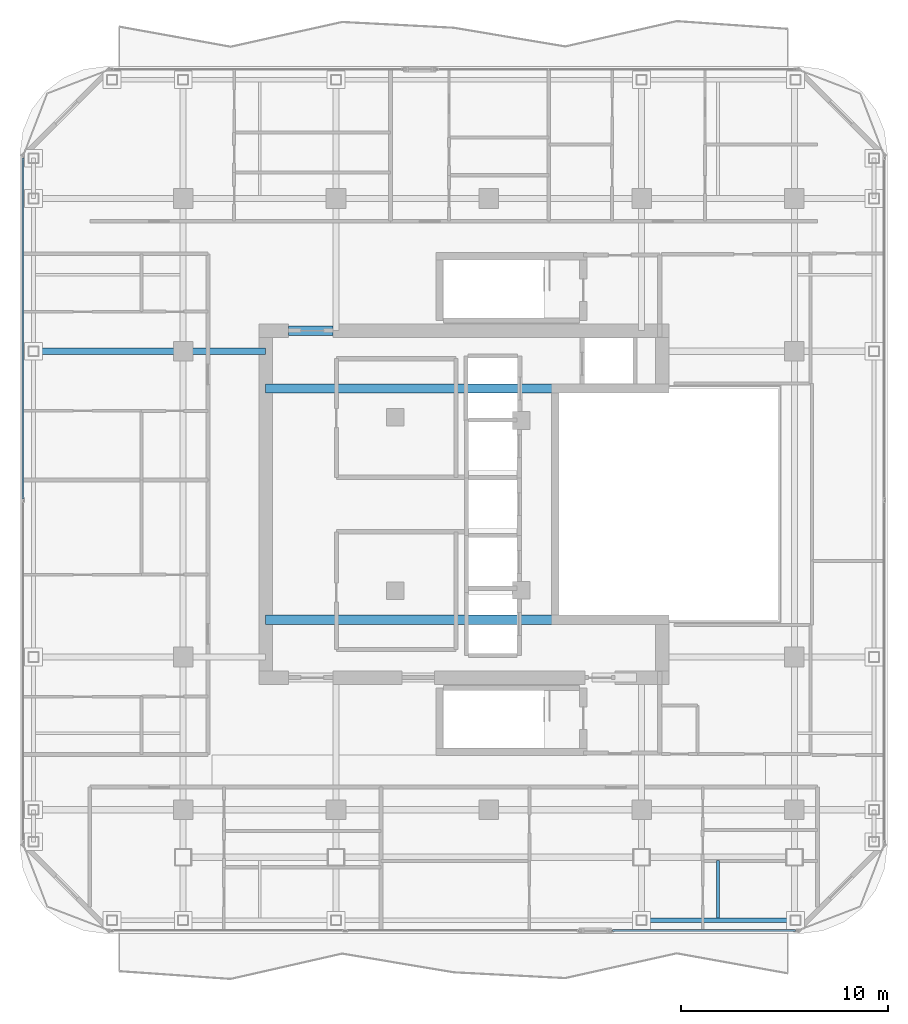
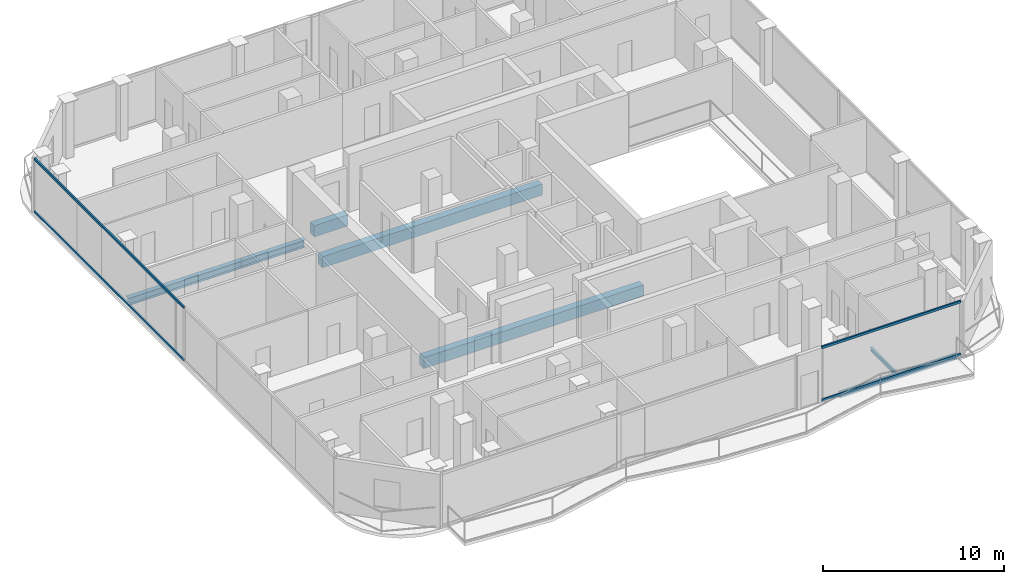
# One storey, part 6 of 22: 7 beams, 4 members, 2 elements without a shape of their own.
"""IFC4 building model written with IfcOpenShell, lengths in metres."""

from ifc_helpers import new_model, si_unit, direction, frame, origin, origin_2d, place, context, subcontext, project, spatial, rectangle, hollow_rectangle, i_section, extrude, material, layer, layer_set, material_profile, profile_set, type_object, element, aggregate, save


model = new_model("IFC4")

# Units and contexts
model_context = context("Model", 3, precision=1e-05, world=origin(), true_north=direction((0.0, 1.0)))
body_context = subcontext(model_context, "Body", "Model", "MODEL_VIEW")
ifc_project = project(units=[si_unit("LENGTHUNIT", "METRE"), si_unit("AREAUNIT", "SQUARE_METRE"), si_unit("VOLUMEUNIT", "CUBIC_METRE"), si_unit("PLANEANGLEUNIT", "RADIAN"), si_unit("MASSUNIT", "GRAM", prefix="KILO")], contexts=[model_context])

# Site, building, storey
site_placement = place(None, origin())
site = spatial("IfcSite", under=ifc_project, at=site_placement, CompositionType="ELEMENT")
building_placement = place(site_placement, origin())
building = spatial("IfcBuilding", under=site, at=building_placement, Name="Khorvyn Point Tower", CompositionType="ELEMENT")
storey_placement = place(building_placement, frame((0.0, 0.0, 309.300048828125)))
storey = spatial("IfcBuildingStorey", under=building, at=storey_placement, Name="L76", CompositionType="ELEMENT", Elevation=309.300048828125)

# Curtain wall, members
ifc_material_1 = material(Name="Anodised aluminium 6063-T6 and laminated Low-E glass", Category="aluminium")
ifc_layer = layer(ifc_material_1, 0.18994140625)
ifc_layer_set = layer_set([ifc_layer], Name="Stick-Built High-Wind Curtain Wall CW-SYS-04")
curtain_wall_type = type_object("IfcCurtainWallType", Name="Stick-Built High-Wind Curtain Wall CW-SYS-04", PredefinedType="NOTDEFINED", material=ifc_layer_set)
curtain_wall_1_placement = place(storey_placement, origin())
curtain_wall_1 = element("IfcCurtainWall", 1, at=curtain_wall_1_placement, inside=storey, type_object=curtain_wall_type, Name="Curtain Wall", PredefinedType="NOTDEFINED")
ifc_material_2 = material(Name="Anodised aluminium 6063-T6", Category="aluminium")
ifc_material_profile_1 = material_profile(ifc_material_2, hollow_rectangle(XDim=0.10009765625, YDim=0.159912109375, WallThickness=0.00439453125, at=origin_2d()))
ifc_profile_set_1 = profile_set([ifc_material_profile_1], Name="Anodised aluminium 6063-T6 ALU-TRN-100x160")
member_type = type_object("IfcMemberType", Name="Anodised Aluminium 6063-T6 Transom ALU-TRN-100x160", PredefinedType="USERDEFINED", material=ifc_profile_set_1)
member_1_placement = place(storey_placement, frame((14.85009765625, -20.64990234375, 0.050048828125), z_axis=(-1.0, 0.0, 0.0), x_axis=(0.0, -1.0, 0.0)))
member_1 = element("IfcMember", 2, at=member_1_placement, type_object=member_type, Name="Transom", ObjectType="TRANSOM", PredefinedType="USERDEFINED", context=body_context, shape_type="SweptSolid", body=[
    extrude(hollow_rectangle(XDim=0.10009765625, YDim=0.159912109375, WallThickness=0.00439453125, at=origin_2d()), origin(), (0.0, 0.0, 1.0), 8.8671875),
])
member_2_placement = place(storey_placement, frame((14.85009765625, -20.64990234375, 3.58984375), z_axis=(-1.0, 0.0, 0.0), x_axis=(0.0, -1.0, 0.0)))
member_2 = element("IfcMember", 3, at=member_2_placement, type_object=member_type, Name="Transom", ObjectType="TRANSOM", PredefinedType="USERDEFINED", context=body_context, shape_type="SweptSolid", body=[
    extrude(hollow_rectangle(XDim=0.10009765625, YDim=0.159912109375, WallThickness=0.00439453125, at=origin_2d()), origin(), (0.0, 0.0, 1.0), 8.8671875),
])
aggregate(curtain_wall_1, [member_1, member_2])

curtain_wall_2_placement = place(storey_placement, origin())
curtain_wall_2 = element("IfcCurtainWall", 4, at=curtain_wall_2_placement, inside=storey, type_object=curtain_wall_type, Name="Curtain Wall", PredefinedType="NOTDEFINED")
member_3_placement = place(storey_placement, frame((-22.550048828125, 0.25, 0.050048828125), z_axis=(0.0, 1.0, 0.0), x_axis=(-1.0, 0.0, 0.0)))
member_3 = element("IfcMember", 5, at=member_3_placement, type_object=member_type, Name="Transom", ObjectType="TRANSOM", PredefinedType="USERDEFINED", context=body_context, shape_type="SweptSolid", body=[
    extrude(hollow_rectangle(XDim=0.10009765625, YDim=0.159912109375, WallThickness=0.00439453125, at=origin_2d()), origin(), (0.0, 0.0, 1.0), 16.5),
])
member_4_placement = place(storey_placement, frame((-22.550048828125, 0.25, 3.58984375), z_axis=(0.0, 1.0, 0.0), x_axis=(-1.0, 0.0, 0.0)))
member_4 = element("IfcMember", 6, at=member_4_placement, type_object=member_type, Name="Transom", ObjectType="TRANSOM", PredefinedType="USERDEFINED", context=body_context, shape_type="SweptSolid", body=[
    extrude(hollow_rectangle(XDim=0.10009765625, YDim=0.159912109375, WallThickness=0.00439453125, at=origin_2d()), origin(), (0.0, 0.0, 1.0), 16.5),
])
aggregate(curtain_wall_2, [member_3, member_4])

# Beams
ifc_material_3 = material(Name="Concrete C40/50", Category="concrete")
ifc_material_profile_2 = material_profile(ifc_material_3, rectangle(XDim=0.449951171875, YDim=0.75, at=origin_2d()))
ifc_profile_set_2 = profile_set([ifc_material_profile_2], Name="Concrete C40/50 RC450x750")
beam_type_1 = type_object("IfcBeamType", Name="Concrete C40/50 Beam RC450x750", PredefinedType="BEAM", material=ifc_profile_set_2)
for number, where, z_axis, x_axis, name in (
    (7, (-10.800048828125, -5.60009765625, -0.594970703125), (1.0, 0.0, 0.0), (0.0, 1.0, 0.0), "L76 Core Internal Tie Girder S"),
    (8, (-10.800048828125, 5.60009765625, -0.594970703125), (1.0, 0.0, 0.0), (0.0, 1.0, 0.0), "L76 Core Internal Tie Girder N"),
):
    element("IfcBeam", number, at=place(storey_placement, frame(where, z_axis=z_axis, x_axis=x_axis)), inside=storey, type_object=beam_type_1, Name=name, PredefinedType="BEAM", context=body_context, shape_type="SweptSolid", body=[
        extrude(rectangle(XDim=0.449951171875, YDim=0.75, at=origin_2d()), origin(), (0.0, 0.0, 1.0), 14.02001953125),
    ])
beam_1_placement = place(storey_placement, frame((-9.699951171875, 8.39990234375, -0.594970703125), z_axis=(1.0, 0.0, 0.0), x_axis=(0.0, 1.0, 0.0)))
element("IfcBeam", 9, at=beam_1_placement, inside=storey, type_object=beam_type_1, Name="L76 Core Northwest Portal Coupling Beam", PredefinedType="BEAM", context=body_context, shape_type="SweptSolid", body=[
    extrude(rectangle(XDim=0.449951171875, YDim=0.75, at=origin_2d()), origin(), (0.0, 0.0, 1.0), 2.14990234375),
])
ifc_material_4 = material(Name="Steel S355", Category="steel")
ifc_material_profile_3 = material_profile(ifc_material_4, i_section(OverallWidth=0.125, OverallDepth=0.25, WebThickness=0.006103515625, FlangeThickness=0.009033203125, at=origin_2d()))
ifc_profile_set_3 = profile_set([ifc_material_profile_3], Name="Steel S355 H250x125x6x9")
beam_type_2 = type_object("IfcBeamType", Name="Steel S355 Joist H250x125x6x9", PredefinedType="JOIST", material=ifc_profile_set_3)
beam_2_placement = place(storey_placement, frame((11.10009765625, -20.050048828125, -0.344970703125), z_axis=(0.0, 1.0, 0.0), x_axis=(-1.0, 0.0, 0.0)))
element("IfcBeam", 10, at=beam_2_placement, inside=storey, type_object=beam_type_2, Name="Beam", PredefinedType="JOIST", context=body_context, shape_type="SweptSolid", body=[
    extrude(i_section(OverallWidth=0.125, OverallDepth=0.25, WebThickness=0.006103515625, FlangeThickness=0.009033203125, at=origin_2d()), origin(), (0.0, 0.0, 1.0), 2.800048828125),
])
ifc_material_profile_4 = material_profile(ifc_material_4, i_section(OverallWidth=0.300048828125, OverallDepth=0.488037109375, WebThickness=0.010986328125, FlangeThickness=0.01806640625, at=origin_2d()))
ifc_profile_set_4 = profile_set([ifc_material_profile_4], Name="Steel S355 H488x300x11x18")
beam_type_3 = type_object("IfcBeamType", Name="Steel S355 Spandrel H488x300x11x18", PredefinedType="SPANDREL", material=ifc_profile_set_4)
beam_3_placement = place(storey_placement, frame((-22.050048828125, 7.39990234375, -0.464111328125), z_axis=(1.0, 0.0, 0.0), x_axis=(0.0, 1.0, 0.0)))
element("IfcBeam", 11, at=beam_3_placement, inside=storey, type_object=beam_type_3, Name="Beam", PredefinedType="SPANDREL", context=body_context, shape_type="SweptSolid", body=[
    extrude(i_section(OverallWidth=0.300048828125, OverallDepth=0.488037109375, WebThickness=0.010986328125, FlangeThickness=0.01806640625, at=origin_2d()), origin(), (0.0, 0.0, 1.0), 7.25),
])
beam_4_placement = place(storey_placement, frame((-14.800048828125, 7.39990234375, -0.464111328125), z_axis=(1.0, 0.0, 0.0), x_axis=(0.0, 1.0, 0.0)))
element("IfcBeam", 12, at=beam_4_placement, inside=storey, type_object=beam_type_3, Name="Beam", PredefinedType="SPANDREL", context=body_context, shape_type="SweptSolid", body=[
    extrude(i_section(OverallWidth=0.300048828125, OverallDepth=0.488037109375, WebThickness=0.010986328125, FlangeThickness=0.01806640625, at=origin_2d()), origin(), (0.0, 0.0, 1.0), 4.0),
])
ifc_material_profile_5 = material_profile(ifc_material_4, hollow_rectangle(XDim=0.199951171875, YDim=0.35009765625, WallThickness=0.013916015625, at=origin_2d()))
ifc_profile_set_5 = profile_set([ifc_material_profile_5], Name="Steel S355 RHS350x200x14")
beam_type_4 = type_object("IfcBeamType", Name="Steel S355 Spandrel RHS350x200x14", PredefinedType="SPANDREL", material=ifc_profile_set_5)
beam_5_placement = place(storey_placement, frame((7.39990234375, -20.14990234375, -0.39501953125), z_axis=(1.0, 0.0, 0.0), x_axis=(0.0, 1.0, 0.0)))
element("IfcBeam", 13, at=beam_5_placement, inside=storey, type_object=beam_type_4, Name="Beam", PredefinedType="SPANDREL", context=body_context, shape_type="SweptSolid", body=[
    extrude(hollow_rectangle(XDim=0.199951171875, YDim=0.35009765625, WallThickness=0.013916015625, at=origin_2d()), origin(), (0.0, 0.0, 1.0), 7.4501953125),
])

save(model, "model.ifc")
